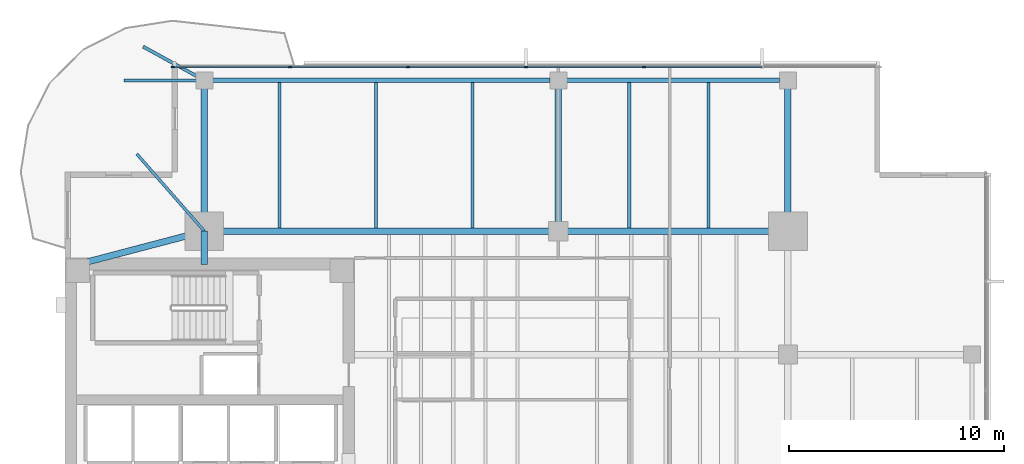
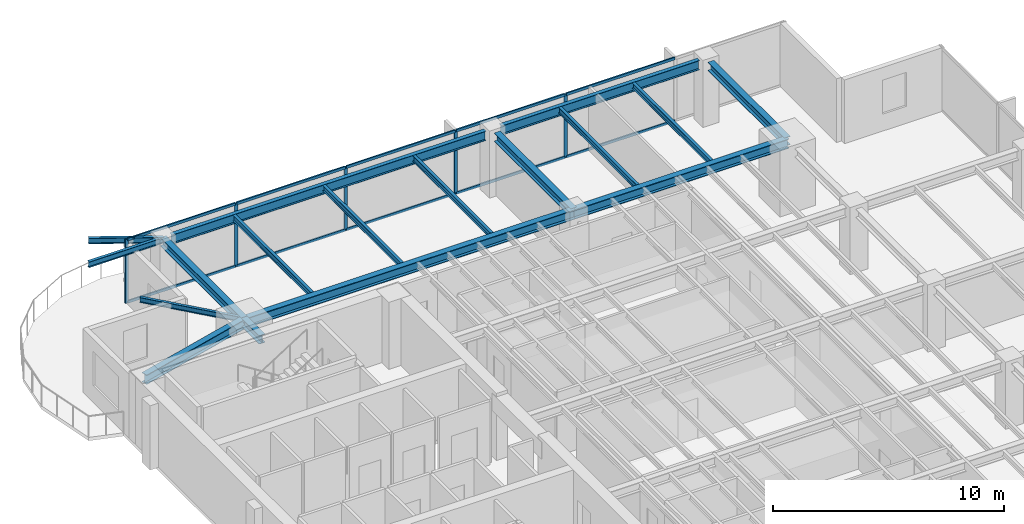
# One storey, part 5 of 14: 17 beams, 15 members, 1 element without a shape of its own.
"""IFC4 building model written with IfcOpenShell, lengths in metres."""

from ifc_helpers import new_model, si_unit, direction, frame, origin, origin_2d, place, context, subcontext, project, spatial, rectangle, i_section, extrude, material, layer, layer_set, material_profile, profile_set, type_object, element, aggregate, save


model = new_model("IFC4")

# Units and contexts
model_context = context("Model", 3, precision=1e-05, world=origin(), true_north=direction((0.0, 1.0)))
body_context = subcontext(model_context, "Body", "Model", "MODEL_VIEW")
ifc_project = project(units=[si_unit("LENGTHUNIT", "METRE"), si_unit("AREAUNIT", "SQUARE_METRE"), si_unit("VOLUMEUNIT", "CUBIC_METRE"), si_unit("PLANEANGLEUNIT", "RADIAN"), si_unit("MASSUNIT", "GRAM", prefix="KILO")], contexts=[model_context])

# Site, building, storey
site_placement = place(None, origin())
site = spatial("IfcSite", under=ifc_project, at=site_placement, CompositionType="ELEMENT")
building_placement = place(site_placement, origin())
building = spatial("IfcBuilding", under=site, at=building_placement, Name="Kinhvarn Gate Tower", CompositionType="ELEMENT")
storey_placement = place(building_placement, frame((0.0, 0.0, 188.050048828125)))
storey = spatial("IfcBuildingStorey", under=building, at=storey_placement, Name="L49", CompositionType="ELEMENT", Elevation=188.050048828125)

# Curtain wall, members
ifc_material_1 = material(Name="Anodised aluminium AW-6063", Category="aluminium")
ifc_layer = layer(ifc_material_1, 0.179931640625)
ifc_layer_set = layer_set([ifc_layer], Name="Anodised aluminium AW-6063")
curtain_wall_type = type_object("IfcCurtainWallType", Name="CW-SYS-3", PredefinedType="NOTDEFINED", material=ifc_layer_set)
curtain_wall_placement = place(storey_placement, origin())
curtain_wall = element("IfcCurtainWall", 1, at=curtain_wall_placement, inside=storey, type_object=curtain_wall_type, Name="Curtain Wall CW3 (L49)", PredefinedType="NOTDEFINED")
ifc_material_profile_1 = material_profile(ifc_material_1, rectangle(XDim=0.06494140625, YDim=0.159912109375, at=origin_2d()), Name="ALU 65x160")
ifc_profile_set_1 = profile_set([ifc_material_profile_1], Name="Anodised aluminium AW-6063")
member_type_1 = type_object("IfcMemberType", Name="CW-MUL-160", PredefinedType="MULLION", material=ifc_profile_set_1)
member_1_placement = place(storey_placement, frame((31.5, 45.409912109375, 0.0), z_axis=(0.0, 0.0, 1.0), x_axis=(0.0, -1.0, 0.0)))
member_1 = element("IfcMember", 2, at=member_1_placement, type_object=member_type_1, Name="CW3 mullion 3", PredefinedType="MULLION", context=body_context, shape_type="SweptSolid", body=[
    extrude(rectangle(XDim=0.06494140625, YDim=0.159912109375, at=origin_2d()), origin(), (0.0, 0.0, 1.0), 3.369873046875),
])
member_2_placement = place(storey_placement, frame((26.0, 45.409912109375, 0.0), z_axis=(0.0, 0.0, 1.0), x_axis=(0.0, -1.0, 0.0)))
member_2 = element("IfcMember", 3, at=member_2_placement, type_object=member_type_1, Name="CW3 mullion 4", PredefinedType="MULLION", context=body_context, shape_type="SweptSolid", body=[
    extrude(rectangle(XDim=0.06494140625, YDim=0.159912109375, at=origin_2d()), origin(), (0.0, 0.0, 1.0), 3.369873046875),
])
member_3_placement = place(storey_placement, frame((20.5, 45.409912109375, 0.0), z_axis=(0.0, 0.0, 1.0), x_axis=(0.0, -1.0, 0.0)))
member_3 = element("IfcMember", 4, at=member_3_placement, type_object=member_type_1, Name="CW3 mullion 5", PredefinedType="MULLION", context=body_context, shape_type="SweptSolid", body=[
    extrude(rectangle(XDim=0.06494140625, YDim=0.159912109375, at=origin_2d()), origin(), (0.0, 0.0, 1.0), 3.369873046875),
])
member_4_placement = place(storey_placement, frame((15.0, 45.409912109375, 0.0), z_axis=(0.0, 0.0, 1.0), x_axis=(0.0, -1.0, 0.0)))
member_4 = element("IfcMember", 5, at=member_4_placement, type_object=member_type_1, Name="CW3 mullion 6", PredefinedType="MULLION", context=body_context, shape_type="SweptSolid", body=[
    extrude(rectangle(XDim=0.06494140625, YDim=0.159912109375, at=origin_2d()), origin(), (0.0, 0.0, 1.0), 3.369873046875),
])
member_5_placement = place(storey_placement, frame((9.532470703125, 45.409912109375, 0.0), z_axis=(0.0, 0.0, 1.0), x_axis=(0.0, -1.0, 0.0)))
member_5 = element("IfcMember", 6, at=member_5_placement, type_object=member_type_1, Name="CW3 mullion 7", PredefinedType="MULLION", context=body_context, shape_type="SweptSolid", body=[
    extrude(rectangle(XDim=0.06494140625, YDim=0.159912109375, at=origin_2d()), origin(), (0.0, 0.0, 1.0), 3.369873046875),
])
ifc_material_profile_2 = material_profile(ifc_material_1, rectangle(XDim=0.070068359375, YDim=0.139892578125, at=origin_2d()), Name="ALU 70x140")
ifc_profile_set_2 = profile_set([ifc_material_profile_2], Name="Anodised aluminium AW-6063")
member_type_2 = type_object("IfcMemberType", Name="CW-TRN-140", PredefinedType="USERDEFINED", material=ifc_profile_set_2)
member_6_placement = place(storey_placement, frame((36.967529296875, 45.409912109375, 0.034912109375), z_axis=(-1.0, 0.0, 0.0), x_axis=(0.0, -1.0, 0.0)))
member_6 = element("IfcMember", 7, at=member_6_placement, type_object=member_type_2, Name="CW3 transom 2.1", ObjectType="TRANSOM", PredefinedType="USERDEFINED", context=body_context, shape_type="SweptSolid", body=[
    extrude(rectangle(XDim=0.070068359375, YDim=0.139892578125, at=origin_2d()), origin(), (0.0, 0.0, 1.0), 5.43505859375),
])
member_7_placement = place(storey_placement, frame((36.967529296875, 45.409912109375, 3.3349609375), z_axis=(-1.0, 0.0, 0.0), x_axis=(0.0, -1.0, 0.0)))
member_7 = element("IfcMember", 8, at=member_7_placement, type_object=member_type_2, Name="CW3 transom 2.2", ObjectType="TRANSOM", PredefinedType="USERDEFINED", context=body_context, shape_type="SweptSolid", body=[
    extrude(rectangle(XDim=0.070068359375, YDim=0.139892578125, at=origin_2d()), origin(), (0.0, 0.0, 1.0), 5.43505859375),
])
member_8_placement = place(storey_placement, frame((31.467529296875, 45.409912109375, 0.034912109375), z_axis=(-1.0, 0.0, 0.0), x_axis=(0.0, -1.0, 0.0)))
member_8 = element("IfcMember", 9, at=member_8_placement, type_object=member_type_2, Name="CW3 transom 3.1", ObjectType="TRANSOM", PredefinedType="USERDEFINED", context=body_context, shape_type="SweptSolid", body=[
    extrude(rectangle(XDim=0.070068359375, YDim=0.139892578125, at=origin_2d()), origin(), (0.0, 0.0, 1.0), 5.43505859375),
])
member_9_placement = place(storey_placement, frame((31.467529296875, 45.409912109375, 3.3349609375), z_axis=(-1.0, 0.0, 0.0), x_axis=(0.0, -1.0, 0.0)))
member_9 = element("IfcMember", 10, at=member_9_placement, type_object=member_type_2, Name="CW3 transom 3.2", ObjectType="TRANSOM", PredefinedType="USERDEFINED", context=body_context, shape_type="SweptSolid", body=[
    extrude(rectangle(XDim=0.070068359375, YDim=0.139892578125, at=origin_2d()), origin(), (0.0, 0.0, 1.0), 5.43505859375),
])
member_10_placement = place(storey_placement, frame((25.967529296875, 45.409912109375, 0.034912109375), z_axis=(-1.0, 0.0, 0.0), x_axis=(0.0, -1.0, 0.0)))
member_10 = element("IfcMember", 11, at=member_10_placement, type_object=member_type_2, Name="CW3 transom 4.1", ObjectType="TRANSOM", PredefinedType="USERDEFINED", context=body_context, shape_type="SweptSolid", body=[
    extrude(rectangle(XDim=0.070068359375, YDim=0.139892578125, at=origin_2d()), origin(), (0.0, 0.0, 1.0), 5.43505859375),
])
member_11_placement = place(storey_placement, frame((25.967529296875, 45.409912109375, 3.3349609375), z_axis=(-1.0, 0.0, 0.0), x_axis=(0.0, -1.0, 0.0)))
member_11 = element("IfcMember", 12, at=member_11_placement, type_object=member_type_2, Name="CW3 transom 4.2", ObjectType="TRANSOM", PredefinedType="USERDEFINED", context=body_context, shape_type="SweptSolid", body=[
    extrude(rectangle(XDim=0.070068359375, YDim=0.139892578125, at=origin_2d()), origin(), (0.0, 0.0, 1.0), 5.43505859375),
])
member_12_placement = place(storey_placement, frame((20.467529296875, 45.409912109375, 0.034912109375), z_axis=(-1.0, 0.0, 0.0), x_axis=(0.0, -1.0, 0.0)))
member_12 = element("IfcMember", 13, at=member_12_placement, type_object=member_type_2, Name="CW3 transom 5.1", ObjectType="TRANSOM", PredefinedType="USERDEFINED", context=body_context, shape_type="SweptSolid", body=[
    extrude(rectangle(XDim=0.070068359375, YDim=0.139892578125, at=origin_2d()), origin(), (0.0, 0.0, 1.0), 5.43505859375),
])
member_13_placement = place(storey_placement, frame((20.467529296875, 45.409912109375, 3.3349609375), z_axis=(-1.0, 0.0, 0.0), x_axis=(0.0, -1.0, 0.0)))
member_13 = element("IfcMember", 14, at=member_13_placement, type_object=member_type_2, Name="CW3 transom 5.2", ObjectType="TRANSOM", PredefinedType="USERDEFINED", context=body_context, shape_type="SweptSolid", body=[
    extrude(rectangle(XDim=0.070068359375, YDim=0.139892578125, at=origin_2d()), origin(), (0.0, 0.0, 1.0), 5.43505859375),
])
member_14_placement = place(storey_placement, frame((14.967529296875, 45.409912109375, 0.034912109375), z_axis=(-1.0, 0.0, 0.0), x_axis=(0.0, -1.0, 0.0)))
member_14 = element("IfcMember", 15, at=member_14_placement, type_object=member_type_2, Name="CW3 transom 6.1", ObjectType="TRANSOM", PredefinedType="USERDEFINED", context=body_context, shape_type="SweptSolid", body=[
    extrude(rectangle(XDim=0.070068359375, YDim=0.139892578125, at=origin_2d()), origin(), (0.0, 0.0, 1.0), 5.402587890625),
])
member_15_placement = place(storey_placement, frame((14.967529296875, 45.409912109375, 3.3349609375), z_axis=(-1.0, 0.0, 0.0), x_axis=(0.0, -1.0, 0.0)))
member_15 = element("IfcMember", 16, at=member_15_placement, type_object=member_type_2, Name="CW3 transom 6.2", ObjectType="TRANSOM", PredefinedType="USERDEFINED", context=body_context, shape_type="SweptSolid", body=[
    extrude(rectangle(XDim=0.070068359375, YDim=0.139892578125, at=origin_2d()), origin(), (0.0, 0.0, 1.0), 5.402587890625),
])
aggregate(curtain_wall, [member_1, member_2, member_3, member_4, member_5, member_6, member_7, member_8, member_9, member_10, member_11, member_12, member_13, member_14, member_15])

# Beams
ifc_material_2 = material(Name="Steel S355", Category="steel")
ifc_material_profile_3 = material_profile(ifc_material_2, i_section(OverallWidth=0.300048828125, OverallDepth=0.449951171875, WebThickness=0.013916015625, FlangeThickness=0.02587890625, at=origin_2d()), Name="HEB 450")
ifc_profile_set_3 = profile_set([ifc_material_profile_3], Name="Steel S355")
beam_type_1 = type_object("IfcBeamType", Name="STL-HEB450", PredefinedType="BEAM", material=ifc_profile_set_3)
beam_1_placement = place(storey_placement, frame((11.0, 36.199951171875, 3.14501953125), z_axis=(0.0, 1.0, 0.0), x_axis=(-1.0, 0.0, 0.0)))
element("IfcBeam", 17, at=beam_1_placement, inside=storey, type_object=beam_type_1, Name="Floor Beam PG-13 (L49 MCW-CN)", PredefinedType="BEAM", context=body_context, shape_type="SweptSolid", body=[
    extrude(i_section(OverallWidth=0.300048828125, OverallDepth=0.449951171875, WebThickness=0.013916015625, FlangeThickness=0.02587890625, at=origin_2d()), origin(), (0.0, 0.0, 1.0), 1.550048828125),
])
beam_2_placement = place(storey_placement, frame((11.0, 37.75, 3.14501953125), z_axis=(0.0, 1.0, 0.0), x_axis=(-1.0, 0.0, 0.0)))
element("IfcBeam", 18, at=beam_2_placement, inside=storey, type_object=beam_type_1, Name="Floor Beam PG-13 (L49 MCW-N)", PredefinedType="BEAM", context=body_context, shape_type="SweptSolid", body=[
    extrude(i_section(OverallWidth=0.300048828125, OverallDepth=0.449951171875, WebThickness=0.013916015625, FlangeThickness=0.02587890625, at=origin_2d()), origin(), (0.0, 0.0, 1.0), 7.030029296875),
])
for number, where, z_axis, x_axis, name in (
    (19, (27.5, 37.75, 3.14501953125), (0.0, 1.0, 0.0), (-1.0, 0.0, 0.0), "Floor Beam PG-13 (L49 SP27-N-TIE)"),
    (20, (38.199951171875, 37.75, 3.14501953125), (0.0, 1.0, 0.0), (-1.0, 0.0, 0.0), "Floor Beam PG-13 (L49 MCE-N)"),
):
    element("IfcBeam", number, at=place(storey_placement, frame(where, z_axis=z_axis, x_axis=x_axis)), inside=storey, type_object=beam_type_1, Name=name, PredefinedType="BEAM", context=body_context, shape_type="SweptSolid", body=[
        extrude(i_section(OverallWidth=0.300048828125, OverallDepth=0.449951171875, WebThickness=0.013916015625, FlangeThickness=0.02587890625, at=origin_2d()), origin(), (0.0, 0.0, 1.0), 6.64501953125),
    ])
ifc_material_profile_4 = material_profile(ifc_material_2, i_section(OverallWidth=0.300048828125, OverallDepth=0.5, WebThickness=0.014404296875, FlangeThickness=0.028076171875, at=origin_2d()), Name="HEB 500")
ifc_profile_set_4 = profile_set([ifc_material_profile_4], Name="Steel S355")
beam_type_2 = type_object("IfcBeamType", Name="STL-HEB500", PredefinedType="BEAM", material=ifc_profile_set_4)
beam_3_placement = place(storey_placement, frame((11.0, 37.75, 3.119873046875), z_axis=(1.0, 0.0, 0.0), x_axis=(0.0, 1.0, 0.0)))
element("IfcBeam", 21, at=beam_3_placement, inside=storey, type_object=beam_type_2, Name="Floor Beam PG-14 (L49 MG-N1)", PredefinedType="BEAM", context=body_context, shape_type="SweptSolid", body=[
    extrude(i_section(OverallWidth=0.300048828125, OverallDepth=0.5, WebThickness=0.014404296875, FlangeThickness=0.028076171875, at=origin_2d()), origin(), (0.0, 0.0, 1.0), 16.5),
])
beam_4_placement = place(storey_placement, frame((27.5, 37.75, 3.119873046875), z_axis=(1.0, 0.0, 0.0), x_axis=(0.0, 1.0, 0.0)))
element("IfcBeam", 22, at=beam_4_placement, inside=storey, type_object=beam_type_2, Name="Floor Beam PG-14 (L49 MG-N2)", PredefinedType="BEAM", context=body_context, shape_type="SweptSolid", body=[
    extrude(i_section(OverallWidth=0.300048828125, OverallDepth=0.5, WebThickness=0.014404296875, FlangeThickness=0.028076171875, at=origin_2d()), origin(), (0.0, 0.0, 1.0), 10.699951171875),
])
beam_5_placement = place(storey_placement, frame((5.10009765625, 36.199951171875, 3.119873046875), z_axis=(0.967177623957, 0.254101246979, 0.0), x_axis=(-0.254101246979, 0.967177623957, 0.0)))
element("IfcBeam", 23, at=beam_5_placement, inside=storey, type_object=beam_type_2, Name="Floor Beam PG-14 (L49 MG-NW-DIAG)", PredefinedType="BEAM", context=body_context, shape_type="SweptSolid", body=[
    extrude(i_section(OverallWidth=0.300048828125, OverallDepth=0.5, WebThickness=0.014404296875, FlangeThickness=0.028076171875, at=origin_2d()), origin(), (0.0, 0.0, 1.0), 6.10009765625),
])
ifc_material_profile_5 = material_profile(ifc_material_2, i_section(OverallWidth=0.135009765625, OverallDepth=0.27001953125, WebThickness=0.006591796875, FlangeThickness=0.01025390625, at=origin_2d()), Name="IPE 270")
ifc_profile_set_5 = profile_set([ifc_material_profile_5], Name="Steel S355")
beam_type_3 = type_object("IfcBeamType", Name="STL-IPE270", PredefinedType="JOIST", material=ifc_profile_set_5)
beam_6_placement = place(storey_placement, frame((11.0, 37.75, 3.23486328125), z_axis=(-0.658482928045, 0.752595664001, 0.0), x_axis=(-0.752595664001, -0.658482928045, 0.0)))
element("IfcBeam", 24, at=beam_6_placement, inside=storey, type_object=beam_type_3, Name="Floor Joist SB-01 (L49 BAL-B3-L50)", PredefinedType="JOIST", context=body_context, shape_type="SweptSolid", body=[
    extrude(i_section(OverallWidth=0.135009765625, OverallDepth=0.27001953125, WebThickness=0.006591796875, FlangeThickness=0.01025390625, at=origin_2d()), origin(), (0.0, 0.0, 1.0), 4.78369140625),
])
ifc_material_profile_6 = material_profile(ifc_material_2, i_section(OverallWidth=0.14990234375, OverallDepth=0.300048828125, WebThickness=0.007080078125, FlangeThickness=0.0107421875, at=origin_2d()), Name="IPE 300")
ifc_profile_set_6 = profile_set([ifc_material_profile_6], Name="Steel S355")
beam_type_4 = type_object("IfcBeamType", Name="STL-IPE300", PredefinedType="JOIST", material=ifc_profile_set_6)
for number, where, z_axis, x_axis, name in (
    (25, (14.5, 37.89990234375, 3.219970703125), (0.0, 1.0, 0.0), (-1.0, 0.0, 0.0), "Floor Joist SB-02 (L49 JN-X145)"),
    (26, (19.0, 37.89990234375, 3.219970703125), (0.0, 1.0, 0.0), (-1.0, 0.0, 0.0), "Floor Joist SB-02 (L49 JN-X190)"),
    (27, (23.5, 37.89990234375, 3.219970703125), (0.0, 1.0, 0.0), (-1.0, 0.0, 0.0), "Floor Joist SB-02 (L49 JN-X235)"),
    (28, (30.800048828125, 37.89990234375, 3.219970703125), (0.0, 1.0, 0.0), (-1.0, 0.0, 0.0), "Floor Joist SB-02 (L49 JN-X308)"),
    (29, (34.5, 37.89990234375, 3.219970703125), (0.0, 1.0, 0.0), (-1.0, 0.0, 0.0), "Floor Joist SB-02 (L49 JN-X345)"),
):
    element("IfcBeam", number, at=place(storey_placement, frame(where, z_axis=z_axis, x_axis=x_axis)), inside=storey, type_object=beam_type_4, Name=name, PredefinedType="JOIST", context=body_context, shape_type="SweptSolid", body=[
        extrude(i_section(OverallWidth=0.14990234375, OverallDepth=0.300048828125, WebThickness=0.007080078125, FlangeThickness=0.0107421875, at=origin_2d()), origin(), (0.0, 0.0, 1.0), 6.780029296875),
    ])
beam_7_placement = place(storey_placement, frame((11.0, 44.780029296875, 3.219970703125), z_axis=(-1.0, 0.0, 0.0), x_axis=(0.0, -1.0, 0.0)))
element("IfcBeam", 30, at=beam_7_placement, inside=storey, type_object=beam_type_4, Name="Floor Joist SB-02 (L49 BAL-B1-L50)", PredefinedType="JOIST", context=body_context, shape_type="SweptSolid", body=[
    extrude(i_section(OverallWidth=0.14990234375, OverallDepth=0.300048828125, WebThickness=0.007080078125, FlangeThickness=0.0107421875, at=origin_2d()), origin(), (0.0, 0.0, 1.0), 3.75),
])
beam_8_placement = place(storey_placement, frame((11.0, 44.780029296875, 3.219970703125), z_axis=(-0.875889381738, 0.482511959394, 0.0), x_axis=(-0.482511959394, -0.875889381738, 0.0)))
element("IfcBeam", 31, at=beam_8_placement, inside=storey, type_object=beam_type_4, Name="Floor Joist SB-02 (L49 BAL-B2-L50)", PredefinedType="JOIST", context=body_context, shape_type="SweptSolid", body=[
    extrude(i_section(OverallWidth=0.14990234375, OverallDepth=0.300048828125, WebThickness=0.007080078125, FlangeThickness=0.0107421875, at=origin_2d()), origin(), (0.0, 0.0, 1.0), 3.25390625),
])
ifc_material_profile_7 = material_profile(ifc_material_2, i_section(OverallWidth=0.199951171875, OverallDepth=0.5, WebThickness=0.01025390625, FlangeThickness=0.01611328125, at=origin_2d()), Name="IPE 500")
ifc_profile_set_7 = profile_set([ifc_material_profile_7], Name="Steel S355")
beam_type_5 = type_object("IfcBeamType", Name="STL-IPE500", PredefinedType="SPANDREL", material=ifc_profile_set_7)
beam_9_placement = place(storey_placement, frame((11.385009765625, 44.780029296875, 3.119873046875), z_axis=(1.0, 0.0, 0.0), x_axis=(0.0, 1.0, 0.0)))
element("IfcBeam", 32, at=beam_9_placement, inside=storey, type_object=beam_type_5, Name="Floor Spandrel SB-07 (L49 SP-N1)", PredefinedType="SPANDREL", context=body_context, shape_type="SweptSolid", body=[
    extrude(i_section(OverallWidth=0.199951171875, OverallDepth=0.5, WebThickness=0.01025390625, FlangeThickness=0.01611328125, at=origin_2d()), origin(), (0.0, 0.0, 1.0), 15.72998046875),
])
beam_10_placement = place(storey_placement, frame((27.885009765625, 44.780029296875, 3.119873046875), z_axis=(1.0, 0.0, 0.0), x_axis=(0.0, 1.0, 0.0)))
element("IfcBeam", 33, at=beam_10_placement, inside=storey, type_object=beam_type_5, Name="Floor Spandrel SB-07 (L49 SP-N2)", PredefinedType="SPANDREL", context=body_context, shape_type="SweptSolid", body=[
    extrude(i_section(OverallWidth=0.199951171875, OverallDepth=0.5, WebThickness=0.01025390625, FlangeThickness=0.01611328125, at=origin_2d()), origin(), (0.0, 0.0, 1.0), 9.929931640625),
])

save(model, "model.ifc")
